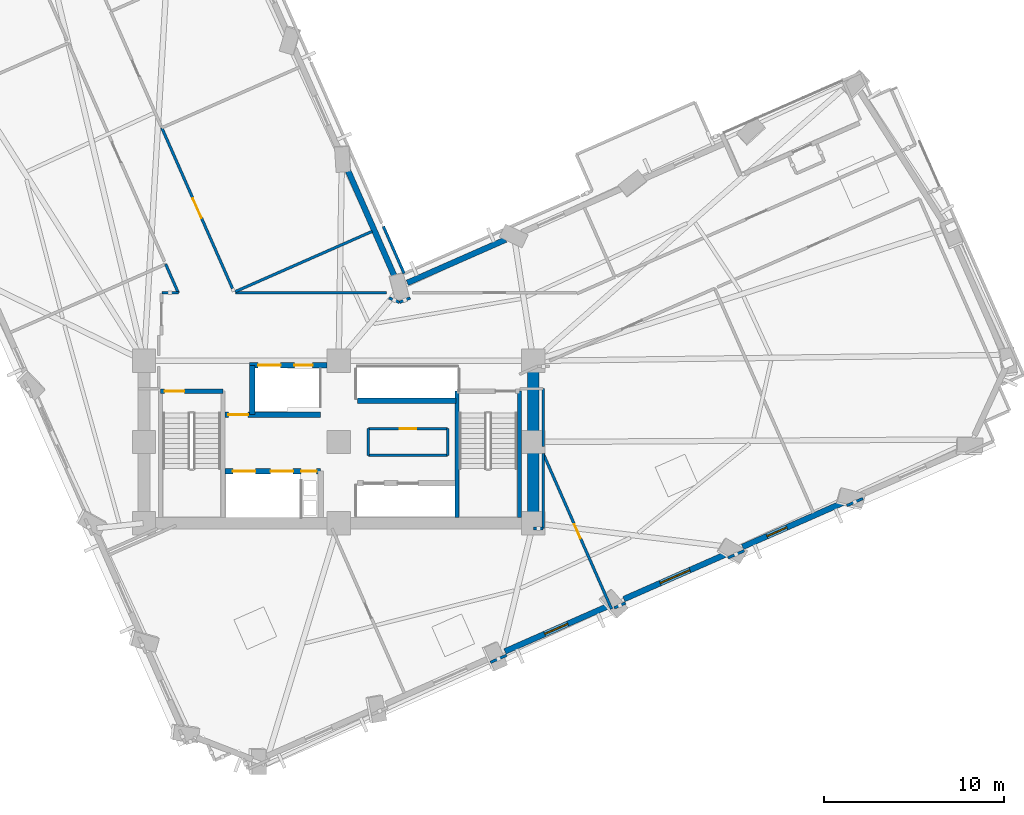
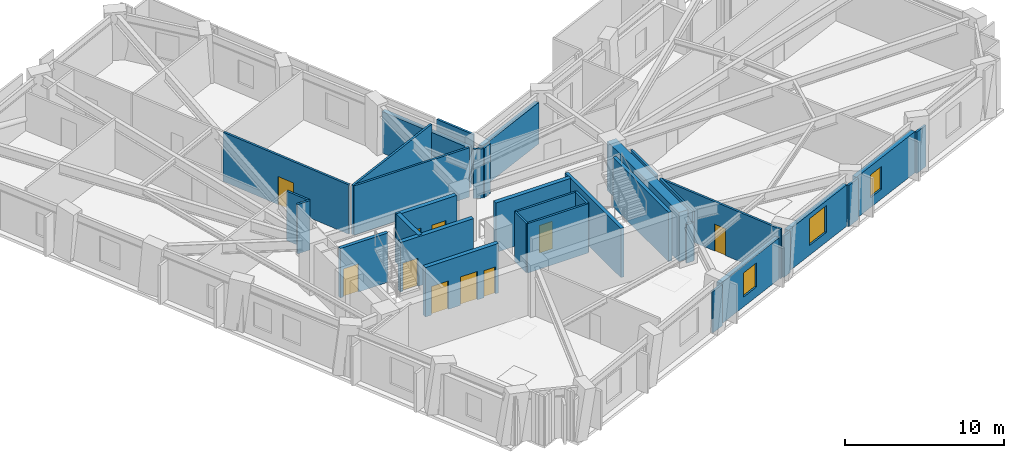
# One storey, part 8 of 15: 34 walls, 10 doors, 3 windows, 13 openings.
"""IFC4 building model written with IfcOpenShell, lengths in metres."""

from ifc_helpers import new_model, si_unit, direction, frame, frame_2d, origin, place, context, subcontext, project, spatial, rectangle, extrude, material, layer, layer_set, type_object, element, fill, save


model = new_model("IFC4")

# Units and contexts
model_context = context("Model", 3, precision=1e-05, world=origin(), true_north=direction((0.0, 1.0)))
body_context = subcontext(model_context, "Body", "Model", "MODEL_VIEW")
ifc_project = project(units=[si_unit("LENGTHUNIT", "METRE"), si_unit("AREAUNIT", "SQUARE_METRE"), si_unit("VOLUMEUNIT", "CUBIC_METRE"), si_unit("PLANEANGLEUNIT", "RADIAN"), si_unit("MASSUNIT", "GRAM", prefix="KILO")], contexts=[model_context])

# Site, building, storey
site_placement = place(None, origin())
site = spatial("IfcSite", under=ifc_project, at=site_placement, CompositionType="ELEMENT")
building_placement = place(site_placement, origin())
building = spatial("IfcBuilding", under=site, at=building_placement, Name="Gaonmaruhae Medical Tower", CompositionType="ELEMENT")
storey_placement = place(building_placement, frame((0.0, 0.0, 124.39990234375)))
storey = spatial("IfcBuildingStorey", under=building, at=storey_placement, Name="L29", CompositionType="ELEMENT", Elevation=124.39990234375)

# Wall
ifc_material_1 = material(Name="Concrete C60/75", Category="concrete")
ifc_layer_1 = layer(ifc_material_1, 0.64990234375)
ifc_layer_set_1 = layer_set([ifc_layer_1], Name="Concrete C60/75")
wall_type_1 = type_object("IfcWallType", Name="CW-650 Zone 2 Core Shear Wall", PredefinedType="SHEAR", material=ifc_layer_set_1)
wall_1_placement = place(storey_placement, frame((35.60009765625, 7.800048828125, 0.0), z_axis=(0.0, 0.0, 1.0), x_axis=(0.0, 1.0, 0.0)))
element("IfcWall", 1, at=wall_1_placement, inside=storey, type_object=wall_type_1, Name="L29 Core Shear Wall CSW-E1", PredefinedType="SHEAR", context=body_context, shape_type="SweptSolid", body=[
    extrude(rectangle(XDim=9.0, YDim=0.64990234375, at=frame_2d((4.5, 0.0))), origin(), (0.0, 0.0, 1.0), 3.780029296875),
])

# Wall, opening, window
ifc_material_2 = material(Name="Precast concrete C45/55", Category="concrete")
ifc_layer_2 = layer(ifc_material_2, 0.320068359375)
ifc_layer_set_2 = layer_set([ifc_layer_2], Name="Precast concrete C45/55")
wall_type_2 = type_object("IfcWallType", Name="EW-320 Lower Precast Masonry-Frame Facade Wall", PredefinedType="SOLIDWALL", material=ifc_layer_set_2)
wall_2_placement = place(storey_placement, frame((39.71337890625, 3.181396484375, 0.0), z_axis=(0.0, 0.0, 1.0), x_axis=(-0.915316770327, -0.402734664461, 0.0)))
wall_2 = element("IfcWall", 2, at=wall_2_placement, inside=storey, type_object=wall_type_2, Name="L29 Precast Masonry-Frame Wall S03-S04", PredefinedType="SOLIDWALL", context=body_context, shape_type="SweptSolid", body=[
    extrude(rectangle(XDim=6.214111328125, YDim=0.320068359375, at=frame_2d((3.10693359375, 0.0))), origin(), (0.0, 0.0, 1.0), 3.1650390625),
])
opening_1_placement = place(wall_2_placement, frame((2.405517578125, 0.0, 0.75)))
opening_1 = element("IfcOpeningElement", 3, at=opening_1_placement, cuts=wall_2, Name="Opening WN-03", PredefinedType="OPENING", context=body_context, shape_type="SweptSolid", body=[
    extrude(rectangle(XDim=1.39990234375, YDim=1.85009765625, at=frame_2d((0.699951171875, 0.925048828125))), frame((0.0, 0.169921875, 0.0), z_axis=(0.0, -1.0, 0.0), x_axis=(1.0, 0.0, 0.0)), (0.0, 0.0, 1.0), 0.340087890625),
])
ifc_material_3 = material(Name="Anodised aluminium and Low-E double glazing", Category="aluminium")
window_type_1 = type_object("IfcWindowType", Name="WN-03 Isolation Ward Punched Window 1400x1850", PartitioningType="SINGLE_PANEL", PredefinedType="WINDOW", material=ifc_material_3)
window_1_placement = place(opening_1_placement, origin())
window_1 = element("IfcWindow", 4, at=window_1_placement, inside=storey, type_object=window_type_1, Name="L29 Modular Facade Window S03", OverallHeight=1.85009765625, OverallWidth=1.39990234375, PartitioningType="SINGLE_PANEL", PredefinedType="WINDOW", context=body_context, shape_type="SweptSolid", body=[
    extrude(rectangle(XDim=1.39990234375, YDim=1.85009765625, at=frame_2d((0.699951171875, 0.925048828125))), frame((0.0, 0.030029296875, 0.0), z_axis=(0.0, -1.0, 0.0), x_axis=(1.0, 0.0, 0.0)), (0.0, 0.0, 1.0), 0.06005859375),
])
fill(opening_1, window_1)

wall_3_placement = place(storey_placement, frame((46.30419921875, 6.081298828125, 0.0), z_axis=(0.0, 0.0, 1.0), x_axis=(-0.915319670792, -0.402728072354, 0.0)))
wall_3 = element("IfcWall", 5, at=wall_3_placement, inside=storey, type_object=wall_type_2, Name="L29 Precast Masonry-Frame Wall S04-S05", PredefinedType="SOLIDWALL", context=body_context, shape_type="SweptSolid", body=[
    extrude(rectangle(XDim=6.208984375, YDim=0.320068359375, at=frame_2d((3.1044921875, 0.0))), origin(), (0.0, 0.0, 1.0), 3.1650390625),
])
opening_2_placement = place(wall_3_placement, frame((2.204833984375, 0.0, 0.75)))
opening_2 = element("IfcOpeningElement", 6, at=opening_2_placement, cuts=wall_3, Name="Opening WN-04", PredefinedType="OPENING", context=body_context, shape_type="SweptSolid", body=[
    extrude(rectangle(XDim=1.800048828125, YDim=2.050048828125, at=frame_2d((0.89990234375, 1.02490234375))), frame((0.0, 0.169921875, 0.0), z_axis=(0.0, -1.0, 0.0), x_axis=(1.0, 0.0, 0.0)), (0.0, 0.0, 1.0), 0.340087890625),
])
window_type_2 = type_object("IfcWindowType", Name="WN-04 Clinic & Consult Punched Window 1800x2050", PartitioningType="SINGLE_PANEL", PredefinedType="WINDOW", material=ifc_material_3)
window_2_placement = place(opening_2_placement, origin())
window_2 = element("IfcWindow", 7, at=window_2_placement, inside=storey, type_object=window_type_2, Name="L29 Modular Facade Window S04", OverallHeight=2.050048828125, OverallWidth=1.800048828125, PartitioningType="SINGLE_PANEL", PredefinedType="WINDOW", context=body_context, shape_type="SweptSolid", body=[
    extrude(rectangle(XDim=1.800048828125, YDim=2.050048828125, at=frame_2d((0.89990234375, 1.02490234375))), frame((0.0, 0.030029296875, 0.0), z_axis=(0.0, -1.0, 0.0), x_axis=(1.0, 0.0, 0.0)), (0.0, 0.0, 1.0), 0.06005859375),
])
fill(opening_2, window_2)

wall_4_placement = place(storey_placement, frame((52.901611328125, 8.984130859375, 0.0), z_axis=(0.0, 0.0, 1.0), x_axis=(-0.915310979882, -0.40274782446, 0.0)))
wall_4 = element("IfcWall", 8, at=wall_4_placement, inside=storey, type_object=wall_type_2, Name="L29 Precast Masonry-Frame Wall S05-S06", PredefinedType="SOLIDWALL", context=body_context, shape_type="SweptSolid", body=[
    extrude(rectangle(XDim=6.21826171875, YDim=0.320068359375, at=frame_2d((3.109130859375, 0.0))), origin(), (0.0, 0.0, 1.0), 3.1650390625),
])
opening_3_placement = place(wall_4_placement, frame((3.542236328125, 0.0, 0.75)))
opening_3 = element("IfcOpeningElement", 9, at=opening_3_placement, cuts=wall_4, Name="Opening WN-05", PredefinedType="OPENING", context=body_context, shape_type="SweptSolid", body=[
    extrude(rectangle(XDim=1.199951171875, YDim=1.75, at=frame_2d((0.60009765625, 0.875))), frame((0.0, 0.169921875, 0.0), z_axis=(0.0, -1.0, 0.0), x_axis=(1.0, 0.0, 0.0)), (0.0, 0.0, 1.0), 0.340087890625),
])
window_type_3 = type_object("IfcWindowType", Name="WN-05 Support & Staff Punched Window 1200x1750", PartitioningType="SINGLE_PANEL", PredefinedType="WINDOW", material=ifc_material_3)
window_3_placement = place(opening_3_placement, origin())
window_3 = element("IfcWindow", 10, at=window_3_placement, inside=storey, type_object=window_type_3, Name="L29 Modular Facade Window S05", OverallHeight=1.75, OverallWidth=1.199951171875, PartitioningType="SINGLE_PANEL", PredefinedType="WINDOW", context=body_context, shape_type="SweptSolid", body=[
    extrude(rectangle(XDim=1.199951171875, YDim=1.75, at=frame_2d((0.60009765625, 0.875))), frame((0.0, 0.030029296875, 0.0), z_axis=(0.0, -1.0, 0.0), x_axis=(1.0, 0.0, 0.0)), (0.0, 0.0, 1.0), 0.06005859375),
])
fill(opening_3, window_3)

# Walls
wall_5_placement = place(storey_placement, frame((28.610595703125, 21.129638671875, 0.0), z_axis=(0.0, 0.0, 1.0), x_axis=(0.915312012357, 0.402745477981, 0.0)))
element("IfcWall", 11, at=wall_5_placement, inside=storey, type_object=wall_type_2, Name="L29 Precast Masonry-Frame Wall EN03-KN01", PredefinedType="SOLIDWALL", context=body_context, shape_type="SweptSolid", body=[
    extrude(rectangle(XDim=5.9599609375, YDim=0.320068359375, at=frame_2d((2.97998046875, 0.0))), origin(), (0.0, 0.0, 1.0), 3.1650390625),
])
wall_6_placement = place(storey_placement, frame((25.247802734375, 27.518310546875, 0.0), z_axis=(0.0, 0.0, 1.0), x_axis=(0.402757978955, -0.915306511715, 0.0)))
element("IfcWall", 12, at=wall_6_placement, inside=storey, type_object=wall_type_2, Name="L29 Precast Masonry-Frame Wall KN01-NE01", PredefinedType="SOLIDWALL", context=body_context, shape_type="SweptSolid", body=[
    extrude(rectangle(XDim=6.760009765625, YDim=0.320068359375, at=frame_2d((3.3798828125, 0.0))), origin(), (0.0, 0.0, 1.0), 3.1650390625),
])
ifc_material_4 = material(Name="Gypsum board partition", Category="gypsum")
ifc_layer_3 = layer(ifc_material_4, 0.14990234375)
ifc_layer_set_3 = layer_set([ifc_layer_3], Name="Gypsum board partition")
wall_type_3 = type_object("IfcWallType", Name="PW-150 Rated Clinical Corridor Partition", PredefinedType="PARTITIONING", material=ifc_layer_set_3)
wall_7_placement = place(storey_placement, frame((26.449951171875, 11.56005859375, 0.0), z_axis=(0.0, 0.0, 1.0), x_axis=(0.0, 1.0, 0.0)))
element("IfcWall", 13, at=wall_7_placement, inside=storey, type_object=wall_type_3, Name="L29 Interior Partition L29-CS1-1", PredefinedType="PARTITIONING", context=body_context, shape_type="SweptSolid", body=[
    extrude(rectangle(XDim=1.47998046875, YDim=0.14990234375, at=frame_2d((0.739990234375, 0.0))), origin(), (0.0, 0.0, 1.0), 3.780029296875),
])

# Wall, opening, door
wall_8_placement = place(storey_placement, frame((26.449951171875, 13.0400390625, 0.0), z_axis=(0.0, 0.0, 1.0), x_axis=(1.0, 0.0, 0.0)))
wall_8 = element("IfcWall", 14, at=wall_8_placement, inside=storey, type_object=wall_type_3, Name="L29 Interior Partition L29-CS1-2", PredefinedType="PARTITIONING", context=body_context, shape_type="SweptSolid", body=[
    extrude(rectangle(XDim=4.400146484375, YDim=0.14990234375, at=frame_2d((2.2001953125, 0.0))), origin(), (0.0, 0.0, 1.0), 3.780029296875),
])
opening_4_placement = place(wall_8_placement, frame((1.739990234375, 0.0, 0.0)))
opening_4 = element("IfcOpeningElement", 15, at=opening_4_placement, cuts=wall_8, Name="Opening UD-01", PredefinedType="OPENING", context=body_context, shape_type="SweptSolid", body=[
    extrude(rectangle(XDim=0.919921875, YDim=2.10009765625, at=frame_2d((0.4599609375, 1.050048828125))), frame((0.0, 0.0849609375, 0.0), z_axis=(0.0, -1.0, 0.0), x_axis=(1.0, 0.0, 0.0)), (0.0, 0.0, 1.0), 0.169921875),
])
ifc_material_5 = material(Name="Powder-coated steel utility door", Category="steel")
door_type_1 = type_object("IfcDoorType", Name="UD-01 Toilet, Utility & Housekeeping Door 920x2100", OperationType="NOTDEFINED", PredefinedType="DOOR", material=ifc_material_5)
door_1_placement = place(opening_4_placement, origin())
door_1 = element("IfcDoor", 16, at=door_1_placement, inside=storey, type_object=door_type_1, Name="L29 Clean Linen Utility Store Door", OperationType="SINGLE_SWING_LEFT", OverallHeight=2.10009765625, OverallWidth=0.919921875, PredefinedType="DOOR", context=body_context, shape_type="SweptSolid", body=[
    extrude(rectangle(XDim=0.919921875, YDim=2.10009765625, at=frame_2d((0.4599609375, 1.050048828125))), frame((0.0, 0.02490234375, 0.0), z_axis=(0.0, -1.0, 0.0), x_axis=(1.0, 0.0, 0.0)), (0.0, 0.0, 1.0), 0.050048828125),
])
fill(opening_4, door_1)

# Walls
wall_9_placement = place(storey_placement, frame((30.85009765625, 13.0400390625, 0.0), z_axis=(0.0, 0.0, 1.0), x_axis=(0.0, -1.0, 0.0)))
element("IfcWall", 17, at=wall_9_placement, inside=storey, type_object=wall_type_3, Name="L29 Interior Partition L29-CS1-3", PredefinedType="PARTITIONING", context=body_context, shape_type="SweptSolid", body=[
    extrude(rectangle(XDim=1.47998046875, YDim=0.14990234375, at=frame_2d((0.739990234375, 0.0))), origin(), (0.0, 0.0, 1.0), 3.780029296875),
])
wall_10_placement = place(storey_placement, frame((30.85009765625, 11.56005859375, 0.0), z_axis=(0.0, 0.0, 1.0), x_axis=(-1.0, 0.0, 0.0)))
element("IfcWall", 18, at=wall_10_placement, inside=storey, type_object=wall_type_3, Name="L29 Interior Partition L29-CS1-4", PredefinedType="PARTITIONING", context=body_context, shape_type="SweptSolid", body=[
    extrude(rectangle(XDim=4.400146484375, YDim=0.14990234375, at=frame_2d((2.2001953125, 0.0))), origin(), (0.0, 0.0, 1.0), 3.780029296875),
])

# Wall, opening, door
wall_11_placement = place(storey_placement, frame((36.14990234375, 11.655029296875, 0.0), z_axis=(0.0, 0.0, 1.0), x_axis=(0.402742956565, -0.915313121799, 0.0)))
wall_11 = element("IfcWall", 19, at=wall_11_placement, inside=storey, type_object=wall_type_3, Name="L29 Interior Partition L29-SUP02-15", PredefinedType="PARTITIONING", context=body_context, shape_type="SweptSolid", body=[
    extrude(rectangle(XDim=9.4208984375, YDim=0.14990234375, at=frame_2d((4.71044921875, 0.0))), origin(), (0.0, 0.0, 1.0), 3.780029296875),
])
opening_5_placement = place(wall_11_placement, frame((4.280517578125, 0.0, 0.0)))
opening_5 = element("IfcOpeningElement", 20, at=opening_5_placement, cuts=wall_11, Name="Opening AD-01", PredefinedType="OPENING", context=body_context, shape_type="SweptSolid", body=[
    extrude(rectangle(XDim=0.860107421875, YDim=2.06005859375, at=frame_2d((0.43017578125, 1.030029296875))), frame((0.0, 0.0849609375, 0.0), z_axis=(0.0, -1.0, 0.0), x_axis=(1.0, 0.0, 0.0)), (0.0, 0.0, 1.0), 0.169921875),
])
ifc_material_6 = material(Name="Powder-coated steel access door", Category="steel")
door_type_2 = type_object("IfcDoorType", Name="AD-01 Riser & Closet Access Fire Door 860x2060", OperationType="NOTDEFINED", PredefinedType="DOOR", material=ifc_material_6)
door_2_placement = place(opening_5_placement, origin())
door_2 = element("IfcDoor", 21, at=door_2_placement, inside=storey, type_object=door_type_2, Name="L29 Clinical Biomedical Charting Office Sliding Door", OperationType="SLIDING_TO_LEFT", OverallHeight=2.06005859375, OverallWidth=0.860107421875, PredefinedType="DOOR", context=body_context, shape_type="SweptSolid", body=[
    extrude(rectangle(XDim=0.860107421875, YDim=2.06005859375, at=frame_2d((0.43017578125, 1.030029296875))), frame((0.0, 0.02490234375, 0.0), z_axis=(0.0, -1.0, 0.0), x_axis=(1.0, 0.0, 0.0)), (0.0, 0.0, 1.0), 0.050048828125),
])
fill(opening_5, door_2)

# Walls
wall_12_placement = place(storey_placement, frame((34.117919921875, 0.468017578125, 0.0), z_axis=(0.0, 0.0, 1.0), x_axis=(-0.915388574032, -0.402571432831, 0.0)))
element("IfcWall", 22, at=wall_12_placement, inside=storey, type_object=wall_type_3, Name="L29 Interior Partition L29-SUP02-16", PredefinedType="PARTITIONING", context=body_context, shape_type="SweptSolid", body=[
    extrude(rectangle(XDim=0.978759765625, YDim=0.14990234375, at=frame_2d((0.4892578125, 0.0))), origin(), (0.0, 0.0, 1.0), 3.1650390625),
])
wall_13_placement = place(storey_placement, frame((35.60009765625, 7.5, 0.0), z_axis=(0.0, 0.0, 1.0), x_axis=(1.0, 0.0, 0.0)))
element("IfcWall", 23, at=wall_13_placement, inside=storey, type_object=wall_type_3, Name="L29 Interior Partition L29-SUP02-17", PredefinedType="PARTITIONING", context=body_context, shape_type="SweptSolid", body=[
    extrude(rectangle(XDim=0.5498046875, YDim=0.14990234375, at=frame_2d((0.27490234375, 0.0))), origin(), (0.0, 0.0, 1.0), 2.965087890625),
])
wall_14_placement = place(storey_placement, frame((36.14990234375, 7.5, 0.0), z_axis=(0.0, 0.0, 1.0), x_axis=(0.0, 1.0, 0.0)))
element("IfcWall", 24, at=wall_14_placement, inside=storey, type_object=wall_type_3, Name="L29 Interior Partition L29-SUP02-18", PredefinedType="PARTITIONING", context=body_context, shape_type="SweptSolid", body=[
    extrude(rectangle(XDim=4.155029296875, YDim=0.14990234375, at=frame_2d((2.07763671875, 0.0))), origin(), (0.0, 0.0, 1.0), 3.780029296875),
])
wall_15_placement = place(storey_placement, frame((47.302001953125, 6.26904296875, 0.0), z_axis=(0.0, 0.0, 1.0), x_axis=(-0.915413318448, -0.402515162954, 0.0)))
element("IfcWall", 25, at=wall_15_placement, inside=storey, type_object=wall_type_3, Name="L29 Interior Partition L29-SUP03-23", PredefinedType="PARTITIONING", context=body_context, shape_type="SweptSolid", body=[
    extrude(rectangle(XDim=0.98876953125, YDim=0.14990234375, at=frame_2d((0.494384765625, 0.0))), origin(), (0.0, 0.0, 1.0), 3.1650390625),
])
wall_16_placement = place(storey_placement, frame((40.714111328125, 3.3701171875, 0.0), z_axis=(0.0, 0.0, 1.0), x_axis=(-0.915299166076, -0.402774672219, 0.0)))
element("IfcWall", 26, at=wall_16_placement, inside=storey, type_object=wall_type_3, Name="L29 Interior Partition L29-SUP03-24", PredefinedType="PARTITIONING", context=body_context, shape_type="SweptSolid", body=[
    extrude(rectangle(XDim=0.6806640625, YDim=0.14990234375, at=frame_2d((0.34033203125, 0.0))), origin(), (0.0, 0.0, 1.0), 3.1650390625),
])
wall_17_placement = place(storey_placement, frame((36.14990234375, 12.052001953125, 0.0), z_axis=(0.0, 0.0, 1.0), x_axis=(0.0, 1.0, 0.0)))
element("IfcWall", 27, at=wall_17_placement, inside=storey, type_object=wall_type_3, Name="L29 Interior Partition L29-SUP03-25", PredefinedType="PARTITIONING", context=body_context, shape_type="SweptSolid", body=[
    extrude(rectangle(XDim=3.2080078125, YDim=0.14990234375, at=frame_2d((1.60400390625, 0.0))), origin(), (0.0, 0.0, 1.0), 3.780029296875),
])
wall_18_placement = place(storey_placement, frame((53.885009765625, 9.1650390625, 0.0), z_axis=(0.0, 0.0, 1.0), x_axis=(-0.915315032423, -0.402738614266, 0.0)))
element("IfcWall", 28, at=wall_18_placement, inside=storey, type_object=wall_type_3, Name="L29 Interior Partition L29-SUP04-33", PredefinedType="PARTITIONING", context=body_context, shape_type="SweptSolid", body=[
    extrude(rectangle(XDim=0.9736328125, YDim=0.14990234375, at=frame_2d((0.48681640625, 0.0))), origin(), (0.0, 0.0, 1.0), 3.1650390625),
])
wall_19_placement = place(storey_placement, frame((15.201904296875, 22.1669921875, 0.0), z_axis=(0.0, 0.0, 1.0), x_axis=(0.403092455814, -0.915159260493, 0.0)))
element("IfcWall", 29, at=wall_19_placement, inside=storey, type_object=wall_type_3, Name="L29 Interior Partition L29-WOF05-42", PredefinedType="PARTITIONING", context=body_context, shape_type="SweptSolid", body=[
    extrude(rectangle(XDim=1.734130859375, YDim=0.14990234375, at=frame_2d((0.8671875, 0.0))), origin(), (0.0, 0.0, 1.0), 3.780029296875),
])
wall_20_placement = place(storey_placement, frame((15.90087890625, 20.580078125, 0.0), z_axis=(0.0, 0.0, 1.0), x_axis=(-1.0, 0.0, 0.0)))
element("IfcWall", 30, at=wall_20_placement, inside=storey, type_object=wall_type_3, Name="L29 Interior Partition L29-WOF05-43", PredefinedType="PARTITIONING", context=body_context, shape_type="SweptSolid", body=[
    extrude(rectangle(XDim=0.90380859375, YDim=0.14990234375, at=frame_2d((0.451904296875, 0.0))), origin(), (0.0, 0.0, 1.0), 3.780029296875),
])
wall_21_placement = place(storey_placement, frame((28.77001953125, 20.2919921875, 0.0), z_axis=(0.0, 0.0, 1.0), x_axis=(-0.923946844683, -0.382520885967, 0.0)))
element("IfcWall", 31, at=wall_21_placement, inside=storey, type_object=wall_type_3, Name="L29 Interior Partition L29-IE01-56", PredefinedType="PARTITIONING", context=body_context, shape_type="SweptSolid", body=[
    extrude(rectangle(XDim=0.6376953125, YDim=0.14990234375, at=frame_2d((0.31884765625, 0.0))), origin(), (0.0, 0.0, 1.0), 3.780029296875),
])
wall_22_placement = place(storey_placement, frame((28.180908203125, 20.048095703125, 0.0), z_axis=(0.0, 0.0, 1.0), x_axis=(-0.924114659462, 0.382115291723, 0.0)))
element("IfcWall", 32, at=wall_22_placement, inside=storey, type_object=wall_type_3, Name="L29 Interior Partition L29-IE01-57", PredefinedType="PARTITIONING", context=body_context, shape_type="SweptSolid", body=[
    extrude(rectangle(XDim=0.63818359375, YDim=0.14990234375, at=frame_2d((0.319091796875, 0.0))), origin(), (0.0, 0.0, 1.0), 3.780029296875),
])
wall_23_placement = place(storey_placement, frame((27.455078125, 20.580078125, 0.0), z_axis=(0.0, 0.0, 1.0), x_axis=(-1.0, 0.0, 0.0)))
element("IfcWall", 33, at=wall_23_placement, inside=storey, type_object=wall_type_3, Name="L29 Interior Partition L29-IE01-58", PredefinedType="PARTITIONING", context=body_context, shape_type="SweptSolid", body=[
    extrude(rectangle(XDim=8.375, YDim=0.14990234375, at=frame_2d((4.1875, 0.0))), origin(), (0.0, 0.0, 1.0), 3.780029296875),
])
wall_24_placement = place(storey_placement, frame((19.053955078125, 20.638916015625, 0.0), z_axis=(0.0, 0.0, 1.0), x_axis=(0.915311998294, 0.402745509944, 0.0)))
element("IfcWall", 34, at=wall_24_placement, inside=storey, type_object=wall_type_3, Name="L29 Interior Partition L29-IE01-59", PredefinedType="PARTITIONING", context=body_context, shape_type="SweptSolid", body=[
    extrude(rectangle(XDim=8.305419921875, YDim=0.14990234375, at=frame_2d((4.15283203125, 0.0))), origin(), (0.0, 0.0, 1.0), 3.780029296875),
])
wall_25_placement = place(storey_placement, frame((27.282958984375, 24.260009765625, 0.0), z_axis=(0.0, 0.0, 1.0), x_axis=(0.402431432168, -0.91545013103, 0.0)))
element("IfcWall", 35, at=wall_25_placement, inside=storey, type_object=wall_type_3, Name="L29 Interior Partition L29-IE01-60", PredefinedType="PARTITIONING", context=body_context, shape_type="SweptSolid", body=[
    extrude(rectangle(XDim=2.85009765625, YDim=0.14990234375, at=frame_2d((1.425048828125, 0.0))), origin(), (0.0, 0.0, 1.0), 3.780029296875),
])

# Wall, opening, door
wall_26_placement = place(storey_placement, frame((18.9140625, 20.806884765625, 0.0), z_axis=(0.0, 0.0, 1.0), x_axis=(-0.402653023247, 0.915352687695, 0.0)))
wall_26 = element("IfcWall", 36, at=wall_26_placement, inside=storey, type_object=wall_type_3, Name="L29 Interior Partition L29-IN01-79", PredefinedType="PARTITIONING", context=body_context, shape_type="SweptSolid", body=[
    extrude(rectangle(XDim=9.75048828125, YDim=0.14990234375, at=frame_2d((4.875244140625, 0.0))), origin(), (0.0, 0.0, 1.0), 3.780029296875),
])
opening_6_placement = place(wall_26_placement, frame((4.275146484375, 0.0, 0.0)))
opening_6 = element("IfcOpeningElement", 37, at=opening_6_placement, cuts=wall_26, Name="Opening CD-02", PredefinedType="OPENING", context=body_context, shape_type="SweptSolid", body=[
    extrude(rectangle(XDim=1.199951171875, YDim=2.14990234375, at=frame_2d((0.60009765625, 1.074951171875))), frame((0.0, 0.0849609375, 0.0), z_axis=(0.0, -1.0, 0.0), x_axis=(1.0, 0.0, 0.0)), (0.0, 0.0, 1.0), 0.169921875),
])
ifc_material_7 = material(Name="Antimicrobial laminate timber fire door", Category="wood")
door_type_3 = type_object("IfcDoorType", Name="CD-02 Clinical Treatment & Procedure Door 1200x2150", OperationType="NOTDEFINED", PredefinedType="DOOR", material=ifc_material_7)
door_3_placement = place(opening_6_placement, origin())
door_3 = element("IfcDoor", 38, at=door_3_placement, inside=storey, type_object=door_type_3, Name="L29 Physician Consultation Office Door", OperationType="SINGLE_SWING_RIGHT", OverallHeight=2.14990234375, OverallWidth=1.199951171875, PredefinedType="DOOR", context=body_context, shape_type="SweptSolid", body=[
    extrude(rectangle(XDim=1.199951171875, YDim=2.14990234375, at=frame_2d((0.60009765625, 1.074951171875))), frame((0.0, 0.02490234375, 0.0), z_axis=(0.0, -1.0, 0.0), x_axis=(1.0, 0.0, 0.0)), (0.0, 0.0, 1.0), 0.050048828125),
])
fill(opening_6, door_3)

ifc_material_8 = material(Name="Concrete C50/60", Category="concrete")
ifc_layer_4 = layer(ifc_material_8, 0.239990234375)
ifc_layer_set_4 = layer_set([ifc_layer_4], Name="Concrete C50/60")
wall_type_4 = type_object("IfcWallType", Name="SW-240 Dogleg Stair Tight Shaft Wall", PredefinedType="SOLIDWALL", material=ifc_layer_set_4)
wall_27_placement = place(storey_placement, frame((14.919921875, 15.1201171875, 0.0), z_axis=(0.0, 0.0, 1.0), x_axis=(1.0, 0.0, 0.0)))
wall_27 = element("IfcWall", 39, at=wall_27_placement, inside=storey, type_object=wall_type_4, Name="L29 ST-01 Stair Shaft Wall SHW-ST-01-N", PredefinedType="SOLIDWALL", context=body_context, shape_type="SweptSolid", body=[
    extrude(rectangle(XDim=3.4599609375, YDim=0.239990234375, at=frame_2d((1.72998046875, 0.0))), origin(), (0.0, 0.0, 1.0), 3.780029296875),
])
opening_7_placement = place(wall_27_placement, frame((0.219970703125, 0.0, 0.0)))
opening_7 = element("IfcOpeningElement", 40, at=opening_7_placement, cuts=wall_27, Name="Opening FD-01", PredefinedType="OPENING", context=body_context, shape_type="SweptSolid", body=[
    extrude(rectangle(XDim=1.10009765625, YDim=2.14990234375, at=frame_2d((0.550048828125, 1.074951171875))), frame((0.0, 0.1298828125, 0.0), z_axis=(0.0, -1.0, 0.0), x_axis=(1.0, 0.0, 0.0)), (0.0, 0.0, 1.0), 0.260009765625),
])
ifc_material_9 = material(Name="Powder-coated steel fire door", Category="steel")
door_type_4 = type_object("IfcDoorType", Name="FD-01 Escape Stair Protected Fire Door 1100x2150", OperationType="NOTDEFINED", PredefinedType="DOOR", material=ifc_material_9)
door_4_placement = place(opening_7_placement, origin())
door_4 = element("IfcDoor", 41, at=door_4_placement, inside=storey, type_object=door_type_4, Name="L29 ST-01 Protected Escape Stair Door", OperationType="SINGLE_SWING_LEFT", OverallHeight=2.14990234375, OverallWidth=1.10009765625, PredefinedType="DOOR", context=body_context, shape_type="SweptSolid", body=[
    extrude(rectangle(XDim=1.10009765625, YDim=2.14990234375, at=frame_2d((0.550048828125, 1.074951171875))), frame((0.0, 0.02490234375, 0.0), z_axis=(0.0, -1.0, 0.0), x_axis=(1.0, 0.0, 0.0)), (0.0, 0.0, 1.0), 0.050048828125),
])
fill(opening_7, door_4)

# Walls
for number, where, z_axis, x_axis, name in (
    (42, (34.830078125, 15.1201171875, 0.0), (0.0, 0.0, 1.0), (0.0, -1.0, 0.0), "L29 ST-02 Stair Shaft Wall SHW-ST-02-E"),
    (43, (31.3701171875, 8.125, 0.0), (0.0, 0.0, 1.0), (0.0, 1.0, 0.0), "L29 ST-02 Stair Shaft Wall SHW-ST-02-W"),
):
    element("IfcWall", number, at=place(storey_placement, frame(where, z_axis=z_axis, x_axis=x_axis)), inside=storey, type_object=wall_type_4, Name=name, PredefinedType="SOLIDWALL", context=body_context, shape_type="SweptSolid", body=[
        extrude(rectangle(XDim=6.9951171875, YDim=0.239990234375, at=frame_2d((3.49755859375, 0.0))), origin(), (0.0, 0.0, 1.0), 3.780029296875),
    ])

# Wall, openings, doors
ifc_layer_5 = layer(ifc_material_8, 0.300048828125)
ifc_layer_set_5 = layer_set([ifc_layer_5], Name="Concrete C50/60")
wall_type_5 = type_object("IfcWallType", Name="SW-300 Stair & Lift Hoistway Shaft Wall", PredefinedType="SOLIDWALL", material=ifc_layer_set_5)
wall_28_placement = place(storey_placement, frame((19.85009765625, 16.550048828125, 0.0), z_axis=(0.0, 0.0, 1.0), x_axis=(1.0, 0.0, 0.0)))
wall_28 = element("IfcWall", 44, at=wall_28_placement, inside=storey, type_object=wall_type_5, Name="L29 Core Shear Wall CSW-NB", PredefinedType="SOLIDWALL", context=body_context, shape_type="SweptSolid", body=[
    extrude(rectangle(XDim=4.2998046875, YDim=0.300048828125, at=frame_2d((2.14990234375, 0.0))), origin(), (0.0, 0.0, 1.0), 3.780029296875),
])
opening_8_placement = place(wall_28_placement, frame((0.47509765625, 0.0, 0.0)))
opening_8 = element("IfcOpeningElement", 45, at=opening_8_placement, cuts=wall_28, Name="Opening LD-F1", PredefinedType="OPENING", context=body_context, shape_type="SweptSolid", body=[
    extrude(rectangle(XDim=1.25, YDim=2.179931640625, at=frame_2d((0.625, 1.08984375))), frame((0.0, 0.16015625, 0.0), z_axis=(0.0, -1.0, 0.0), x_axis=(1.0, 0.0, 0.0)), (0.0, 0.0, 1.0), 0.320068359375),
])
opening_9_placement = place(wall_28_placement, frame((2.489990234375, 0.0, 0.0)))
opening_9 = element("IfcOpeningElement", 46, at=opening_9_placement, cuts=wall_28, Name="Opening LD-S1", PredefinedType="OPENING", context=body_context, shape_type="SweptSolid", body=[
    extrude(rectangle(XDim=1.02001953125, YDim=2.1201171875, at=frame_2d((0.510009765625, 1.06005859375))), frame((0.0, 0.16015625, 0.0), z_axis=(0.0, -1.0, 0.0), x_axis=(1.0, 0.0, 0.0)), (0.0, 0.0, 1.0), 0.320068359375),
])
ifc_material_10 = material(Name="Brushed stainless steel 316L landing door", Category="steel")
door_type_5 = type_object("IfcDoorType", Name="LD-F1 Firefighting & Bed Lift Sliding Landing Door 1250x2180", OperationType="NOTDEFINED", PredefinedType="DOOR", material=ifc_material_10)
door_5_placement = place(opening_8_placement, origin())
door_5 = element("IfcDoor", 47, at=door_5_placement, inside=storey, type_object=door_type_5, Name="L29 Service/Bed Lift Landing Door BDL-01", OperationType="DOUBLE_DOOR_SLIDING", OverallHeight=2.179931640625, OverallWidth=1.25, PredefinedType="DOOR", context=body_context, shape_type="SweptSolid", body=[
    extrude(rectangle(XDim=1.25, YDim=2.179931640625, at=frame_2d((0.625, 1.08984375))), frame((0.0, 0.02490234375, 0.0), z_axis=(0.0, -1.0, 0.0), x_axis=(1.0, 0.0, 0.0)), (0.0, 0.0, 1.0), 0.050048828125),
])
fill(opening_8, door_5)
ifc_material_11 = material(Name="Brushed stainless steel 304 landing door", Category="steel")
door_type_6 = type_object("IfcDoorType", Name="LD-S1 Service Lift Sliding Landing Door 1020x2120", OperationType="NOTDEFINED", PredefinedType="DOOR", material=ifc_material_11)
door_6_placement = place(opening_9_placement, origin())
door_6 = element("IfcDoor", 48, at=door_6_placement, inside=storey, type_object=door_type_6, Name="L29 Service/Bed Lift Landing Door SVL-01", OperationType="SLIDING_TO_LEFT", OverallHeight=2.1201171875, OverallWidth=1.02001953125, PredefinedType="DOOR", context=body_context, shape_type="SweptSolid", body=[
    extrude(rectangle(XDim=1.02001953125, YDim=2.1201171875, at=frame_2d((0.510009765625, 1.06005859375))), frame((0.0, 0.02490234375, 0.0), z_axis=(0.0, -1.0, 0.0), x_axis=(1.0, 0.0, 0.0)), (0.0, 0.0, 1.0), 0.050048828125),
])
fill(opening_9, door_6)

wall_29_placement = place(storey_placement, frame((18.5, 10.679931640625, 0.0), z_axis=(0.0, 0.0, 1.0), x_axis=(1.0, 0.0, 0.0)))
wall_29 = element("IfcWall", 49, at=wall_29_placement, inside=storey, type_object=wall_type_5, Name="L29 Shaft Enclosure Wall SHW-FFN", PredefinedType="SOLIDWALL", context=body_context, shape_type="SweptSolid", body=[
    extrude(rectangle(XDim=5.300048828125, YDim=0.300048828125, at=frame_2d((2.64990234375, 0.0))), origin(), (0.0, 0.0, 1.0), 3.780029296875),
])
opening_10_placement = place(wall_29_placement, frame((4.219970703125, 0.0, 0.0)))
opening_10 = element("IfcOpeningElement", 50, at=opening_10_placement, cuts=wall_29, Name="Opening AD-01", PredefinedType="OPENING", context=body_context, shape_type="SweptSolid", body=[
    extrude(rectangle(XDim=0.860107421875, YDim=2.06005859375, at=frame_2d((0.43017578125, 1.030029296875))), frame((0.0, 0.16015625, 0.0), z_axis=(0.0, -1.0, 0.0), x_axis=(1.0, 0.0, 0.0)), (0.0, 0.0, 1.0), 0.320068359375),
])
opening_11_placement = place(wall_29_placement, frame((0.425048828125, 0.0, 0.0)))
opening_11 = element("IfcOpeningElement", 51, at=opening_11_placement, cuts=wall_29, Name="Opening LD-F1", PredefinedType="OPENING", context=body_context, shape_type="SweptSolid", body=[
    extrude(rectangle(XDim=1.25, YDim=2.179931640625, at=frame_2d((0.625, 1.08984375))), frame((0.0, 0.16015625, 0.0), z_axis=(0.0, -1.0, 0.0), x_axis=(1.0, 0.0, 0.0)), (0.0, 0.0, 1.0), 0.320068359375),
])
opening_12_placement = place(wall_29_placement, frame((2.52490234375, 0.0, 0.0)))
opening_12 = element("IfcOpeningElement", 52, at=opening_12_placement, cuts=wall_29, Name="Opening LD-F1", PredefinedType="OPENING", context=body_context, shape_type="SweptSolid", body=[
    extrude(rectangle(XDim=1.25, YDim=2.179931640625, at=frame_2d((0.625, 1.08984375))), frame((0.0, 0.16015625, 0.0), z_axis=(0.0, -1.0, 0.0), x_axis=(1.0, 0.0, 0.0)), (0.0, 0.0, 1.0), 0.320068359375),
])
door_7_placement = place(opening_10_placement, origin())
door_7 = element("IfcDoor", 53, at=door_7_placement, inside=storey, type_object=door_type_2, Name="L29 Medical Gas and MEP Riser Access Door", OperationType="SINGLE_SWING_RIGHT", OverallHeight=2.06005859375, OverallWidth=0.860107421875, PredefinedType="DOOR", context=body_context, shape_type="SweptSolid", body=[
    extrude(rectangle(XDim=0.860107421875, YDim=2.06005859375, at=frame_2d((0.43017578125, 1.030029296875))), frame((0.0, 0.02490234375, 0.0), z_axis=(0.0, -1.0, 0.0), x_axis=(1.0, 0.0, 0.0)), (0.0, 0.0, 1.0), 0.050048828125),
])
fill(opening_10, door_7)
door_8_placement = place(opening_11_placement, origin())
door_8 = element("IfcDoor", 54, at=door_8_placement, inside=storey, type_object=door_type_5, Name="L29 Firefighting Lift Landing Door FFL-01", OperationType="DOUBLE_DOOR_SLIDING", OverallHeight=2.179931640625, OverallWidth=1.25, PredefinedType="DOOR", context=body_context, shape_type="SweptSolid", body=[
    extrude(rectangle(XDim=1.25, YDim=2.179931640625, at=frame_2d((0.625, 1.08984375))), frame((0.0, 0.02490234375, 0.0), z_axis=(0.0, -1.0, 0.0), x_axis=(1.0, 0.0, 0.0)), (0.0, 0.0, 1.0), 0.050048828125),
])
fill(opening_11, door_8)
door_9_placement = place(opening_12_placement, origin())
door_9 = element("IfcDoor", 55, at=door_9_placement, inside=storey, type_object=door_type_5, Name="L29 Firefighting Lift Landing Door FFL-02", OperationType="DOUBLE_DOOR_SLIDING", OverallHeight=2.179931640625, OverallWidth=1.25, PredefinedType="DOOR", context=body_context, shape_type="SweptSolid", body=[
    extrude(rectangle(XDim=1.25, YDim=2.179931640625, at=frame_2d((0.625, 1.08984375))), frame((0.0, 0.02490234375, 0.0), z_axis=(0.0, -1.0, 0.0), x_axis=(1.0, 0.0, 0.0)), (0.0, 0.0, 1.0), 0.050048828125),
])
fill(opening_12, door_9)

# Wall, opening, door
wall_30_placement = place(storey_placement, frame((18.5, 13.820068359375, 0.0), z_axis=(0.0, 0.0, 1.0), x_axis=(1.0, 0.0, 0.0)))
wall_30 = element("IfcWall", 56, at=wall_30_placement, inside=storey, type_object=wall_type_5, Name="L29 Shaft Enclosure Wall SHW-FFL", PredefinedType="SOLIDWALL", context=body_context, shape_type="SweptSolid", body=[
    extrude(rectangle(XDim=5.300048828125, YDim=0.300048828125, at=frame_2d((2.64990234375, 0.0))), origin(), (0.0, 0.0, 1.0), 3.780029296875),
])
opening_13_placement = place(wall_30_placement, frame((0.179931640625, 0.0, 0.0)))
opening_13 = element("IfcOpeningElement", 57, at=opening_13_placement, cuts=wall_30, Name="Opening FD-01", PredefinedType="OPENING", context=body_context, shape_type="SweptSolid", body=[
    extrude(rectangle(XDim=1.10009765625, YDim=2.14990234375, at=frame_2d((0.550048828125, 1.074951171875))), frame((0.0, 0.16015625, 0.0), z_axis=(0.0, -1.0, 0.0), x_axis=(1.0, 0.0, 0.0)), (0.0, 0.0, 1.0), 0.320068359375),
])
door_10_placement = place(opening_13_placement, origin())
door_10 = element("IfcDoor", 58, at=door_10_placement, inside=storey, type_object=door_type_4, Name="L29 Firefighting Lobby Smoke Door", OperationType="SINGLE_SWING_LEFT", OverallHeight=2.14990234375, OverallWidth=1.10009765625, PredefinedType="DOOR", context=body_context, shape_type="SweptSolid", body=[
    extrude(rectangle(XDim=1.10009765625, YDim=2.14990234375, at=frame_2d((0.550048828125, 1.074951171875))), frame((0.0, 0.02490234375, 0.0), z_axis=(0.0, -1.0, 0.0), x_axis=(1.0, 0.0, 0.0)), (0.0, 0.0, 1.0), 0.050048828125),
])
fill(opening_13, door_10)

# Walls
wall_31_placement = place(storey_placement, frame((20.0, 13.820068359375, 0.0), z_axis=(0.0, 0.0, 1.0), x_axis=(0.0, 1.0, 0.0)))
element("IfcWall", 59, at=wall_31_placement, inside=storey, type_object=wall_type_5, Name="L29 Shaft Enclosure Wall SHW-BDW", PredefinedType="SOLIDWALL", context=body_context, shape_type="SweptSolid", body=[
    extrude(rectangle(XDim=2.72998046875, YDim=0.300048828125, at=frame_2d((1.364990234375, 0.0))), origin(), (0.0, 0.0, 1.0), 3.780029296875),
])
wall_32_placement = place(storey_placement, frame((25.85009765625, 14.580078125, 0.0), z_axis=(0.0, 0.0, 1.0), x_axis=(1.0, 0.0, 0.0)))
element("IfcWall", 60, at=wall_32_placement, inside=storey, type_object=wall_type_5, Name="L29 Shaft Enclosure Wall SHW-PLN", PredefinedType="SOLIDWALL", context=body_context, shape_type="SweptSolid", body=[
    extrude(rectangle(XDim=5.449951171875, YDim=0.300048828125, at=frame_2d((2.72509765625, 0.0))), origin(), (0.0, 0.0, 1.0), 3.780029296875),
])

save(model, "model.ifc")
